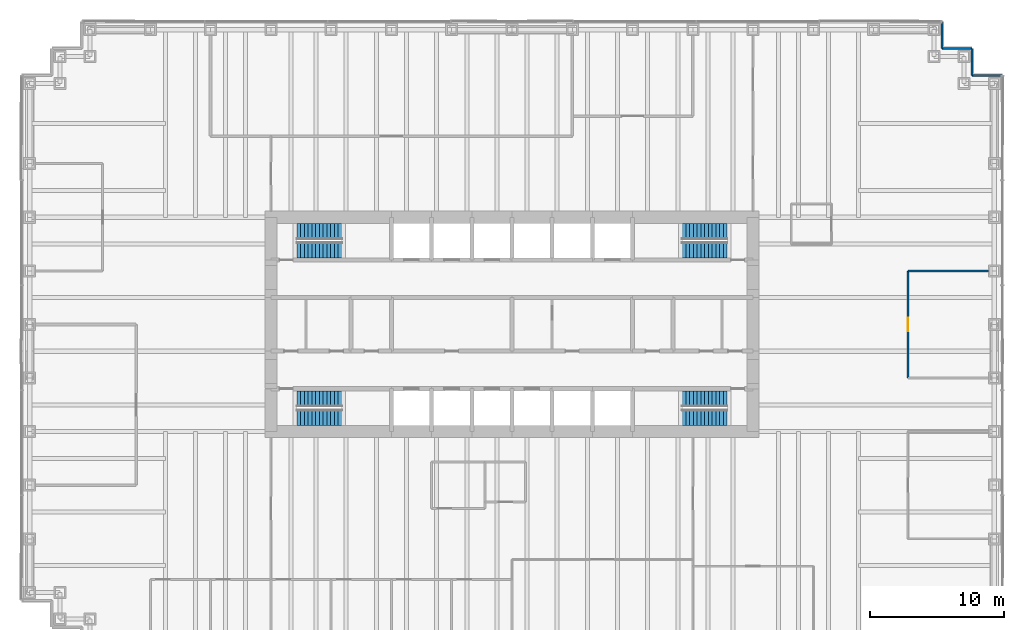
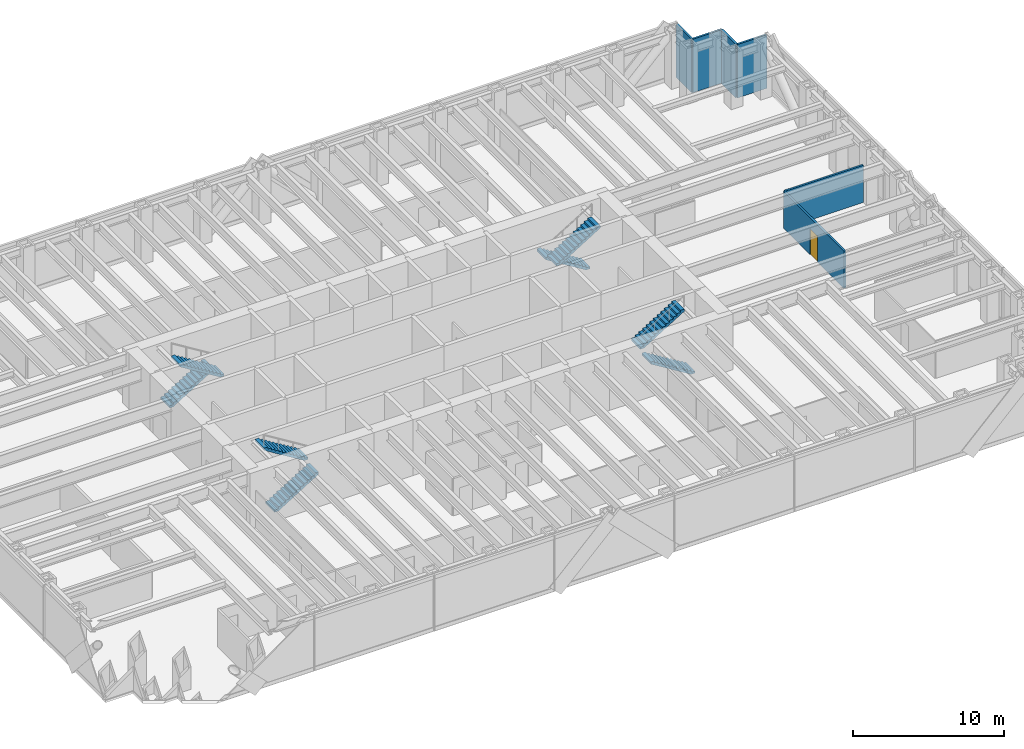
# One storey, part 12 of 13: 8 stair flights, 6 walls, 1 door, 1 opening, 4 elements without a shape of their own.
"""IFC4 building model written with IfcOpenShell, lengths in metres."""

from ifc_helpers import new_model, si_unit, direction, frame, frame_2d, origin, place, context, subcontext, project, spatial, polyline, rectangle, outline, extrude, material, layer, layer_set, type_object, element, fill, aggregate, save


model = new_model("IFC4")

# Units and contexts
model_context = context("Model", 3, precision=1e-05, world=origin(), true_north=direction((0.0, 1.0)))
body_context = subcontext(model_context, "Body", "Model", "MODEL_VIEW")
ifc_project = project(units=[si_unit("LENGTHUNIT", "METRE"), si_unit("AREAUNIT", "SQUARE_METRE"), si_unit("VOLUMEUNIT", "CUBIC_METRE"), si_unit("PLANEANGLEUNIT", "RADIAN"), si_unit("MASSUNIT", "GRAM", prefix="KILO")], contexts=[model_context])

# Site, building, storey
site_placement = place(None, origin())
site = spatial("IfcSite", under=ifc_project, at=site_placement, CompositionType="ELEMENT")
building_placement = place(site_placement, origin())
building = spatial("IfcBuilding", under=site, at=building_placement, Name="Rheinbord Bourse Tower", CompositionType="ELEMENT")
storey_placement = place(building_placement, frame((0.0, 0.0, 59.0)))
storey = spatial("IfcBuildingStorey", under=building, at=storey_placement, Name="L12", CompositionType="ELEMENT", Elevation=59.0)

# Walls
ifc_material_1 = material(Name="Black metal rainscreen panel", Category="aluminium")
ifc_layer_1 = layer(ifc_material_1, 0.14990234375)
ifc_layer_set_1 = layer_set([ifc_layer_1], Name="CORNER PIER CLADDING 150")
wall_type_1 = type_object("IfcWallType", Name="CORNER PIER CLADDING 150", PredefinedType="ELEMENTEDWALL", material=ifc_layer_set_1)
wall_1_placement = place(storey_placement, frame((72.60009765625, 42.60009765625, 0.0), z_axis=(0.0, 0.0, 1.0), x_axis=(-1.0, 0.0, 0.0)))
element("IfcWall", 1, at=wall_1_placement, inside=storey, type_object=wall_type_1, Name="Corner pier cladding L12 7", PredefinedType="ELEMENTEDWALL", context=body_context, shape_type="SweptSolid", body=[
    extrude(rectangle(XDim=2.25, YDim=0.14990234375, at=frame_2d((1.125, 0.0))), origin(), (0.0, 0.0, 1.0), 4.320068359375),
])
wall_2_placement = place(storey_placement, frame((70.35009765625, 42.60009765625, 0.0), z_axis=(0.0, 0.0, 1.0), x_axis=(0.0, 1.0, 0.0)))
element("IfcWall", 2, at=wall_2_placement, inside=storey, type_object=wall_type_1, Name="Corner pier cladding L12 8", PredefinedType="ELEMENTEDWALL", context=body_context, shape_type="SweptSolid", body=[
    extrude(rectangle(XDim=2.0, YDim=0.14990234375, at=frame_2d((1.0, 0.0))), origin(), (0.0, 0.0, 1.0), 4.320068359375),
])
wall_3_placement = place(storey_placement, frame((70.35009765625, 44.60009765625, 0.0), z_axis=(0.0, 0.0, 1.0), x_axis=(-1.0, 0.0, 0.0)))
element("IfcWall", 3, at=wall_3_placement, inside=storey, type_object=wall_type_1, Name="Corner pier cladding L12 9", PredefinedType="ELEMENTEDWALL", context=body_context, shape_type="SweptSolid", body=[
    extrude(rectangle(XDim=2.25, YDim=0.14990234375, at=frame_2d((1.125, 0.0))), origin(), (0.0, 0.0, 1.0), 4.320068359375),
])
wall_4_placement = place(storey_placement, frame((68.10009765625, 44.60009765625, 0.0), z_axis=(0.0, 0.0, 1.0), x_axis=(0.0, 1.0, 0.0)))
element("IfcWall", 4, at=wall_4_placement, inside=storey, type_object=wall_type_1, Name="Corner pier cladding L12 10", PredefinedType="ELEMENTEDWALL", context=body_context, shape_type="SweptSolid", body=[
    extrude(rectangle(XDim=2.0, YDim=0.14990234375, at=frame_2d((1.0, 0.0))), origin(), (0.0, 0.0, 1.0), 4.320068359375),
])
ifc_material_2 = material(Name="Gypsum board partition", Category="gypsum board")
ifc_layer_2 = layer(ifc_material_2, 0.14990234375)
ifc_layer_set_2 = layer_set([ifc_layer_2], Name="PARTITION 150")
wall_type_2 = type_object("IfcWallType", Name="PARTITION 150", PredefinedType="PARTITIONING", material=ifc_layer_set_2)
wall_5_placement = place(storey_placement, frame((65.550048828125, 28.0, 0.0), z_axis=(0.0, 0.0, 1.0), x_axis=(1.0, 0.0, 0.0)))
element("IfcWall", 5, at=wall_5_placement, inside=storey, type_object=wall_type_2, Name="Partition L12-14", PredefinedType="PARTITIONING", context=body_context, shape_type="SweptSolid", body=[
    extrude(rectangle(XDim=6.0, YDim=0.14990234375, at=frame_2d((3.0, 0.0))), origin(), (0.0, 0.0, 1.0), 3.0),
])

# Wall, opening, door
wall_6_placement = place(storey_placement, frame((65.550048828125, 20.0, 0.0), z_axis=(0.0, 0.0, 1.0), x_axis=(0.0, 1.0, 0.0)))
wall_6 = element("IfcWall", 6, at=wall_6_placement, inside=storey, type_object=wall_type_2, Name="Partition L12-44", PredefinedType="PARTITIONING", context=body_context, shape_type="SweptSolid", body=[
    extrude(rectangle(XDim=8.0, YDim=0.14990234375, at=frame_2d((4.0, 0.0))), origin(), (0.0, 0.0, 1.0), 3.0),
])
opening_placement = place(wall_6_placement, frame((3.5, 0.0, 0.0)))
opening = element("IfcOpeningElement", 7, at=opening_placement, cuts=wall_6, Name="Opening 12D13", PredefinedType="OPENING", context=body_context, shape_type="SweptSolid", body=[
    extrude(rectangle(XDim=1.0, YDim=2.10009765625, at=frame_2d((0.5, 1.050048828125))), frame((0.0, 0.0849609375, 0.0), z_axis=(0.0, -1.0, 0.0), x_axis=(1.0, 0.0, 0.0)), (0.0, 0.0, 1.0), 0.169921875),
])
ifc_material_3 = material(Name="Timber door", Category="wood")
door_type = type_object("IfcDoorType", Name="ROOM DOOR 1000", OperationType="SINGLE_SWING_LEFT", PredefinedType="DOOR", material=ifc_material_3)
door_placement = place(opening_placement, origin())
door = element("IfcDoor", 8, at=door_placement, inside=storey, type_object=door_type, Name="Pantry door L12", OperationType="SINGLE_SWING_LEFT", OverallHeight=2.10009765625, OverallWidth=1.0, PredefinedType="DOOR", context=body_context, shape_type="SweptSolid", body=[
    extrude(rectangle(XDim=1.0, YDim=2.10009765625, at=frame_2d((0.5, 1.050048828125))), frame((0.0, 0.02490234375, 0.0), z_axis=(0.0, -1.0, 0.0), x_axis=(1.0, 0.0, 0.0)), (0.0, 0.0, 1.0), 0.050048828125),
])
fill(opening, door)

# Stair, stair flights
ifc_material_4 = material(Name="Concrete C30/37", Category="concrete")
stair_type = type_object("IfcStairType", Name="CORE STAIR HALF TURN 4500", PredefinedType="HALF_TURN_STAIR", material=ifc_material_4)
stair_1_placement = place(storey_placement, origin())
stair_1 = element("IfcStair", 9, at=stair_1_placement, inside=storey, type_object=stair_type, Name="Stair ST1 L12, type CS4", PredefinedType="HALF_TURN_STAIR")
ifc_material_5 = material(Name="Concrete C30/37", Category="concrete")
stair_flight_type = type_object("IfcStairFlightType", Name="CORE STAIR FLIGHT 1200, 13 RISERS", PredefinedType="STRAIGHT", material=ifc_material_5)
stair_flight_1_placement = place(storey_placement, frame((19.949951171875, 17.050048828125, 0.0), z_axis=(0.0, 0.0, 1.0), x_axis=(1.0, 0.0, 0.0)))
stair_flight_1 = element("IfcStairFlight", 10, at=stair_flight_1_placement, type_object=stair_flight_type, Name="STAIR L12 ST1 F1", NumberOfRisers=13, NumberOfTreads=12, PredefinedType="STRAIGHT", RiserHeight=0.173076923, TreadLength=0.28, context=body_context, shape_type="SweptSolid", body=[
    extrude(outline(polyline([(0.0, 0.0), (0.0, 0.173095703125), (0.280029296875, 0.173095703125), (0.280029296875, 0.34619140625), (0.56005859375, 0.34619140625), (0.56005859375, 0.519287109375), (0.840087890625, 0.519287109375), (0.840087890625, 0.6923828125), (1.1201171875, 0.6923828125), (1.1201171875, 0.865478515625), (1.39990234375, 0.865478515625), (1.39990234375, 1.03857421875), (1.679931640625, 1.03857421875), (1.679931640625, 1.21142578125), (1.9599609375, 1.21142578125), (1.9599609375, 1.384521484375), (2.239990234375, 1.384521484375), (2.239990234375, 1.5576171875), (2.52001953125, 1.5576171875), (2.52001953125, 1.730712890625), (2.800048828125, 1.730712890625), (2.800048828125, 1.90380859375), (3.080078125, 1.90380859375), (3.080078125, 2.076904296875), (3.360107421875, 2.076904296875), (3.360107421875, 2.25), (3.360107421875, 1.900634765625), (0.28515625, 0.0), (0.0, 0.0)])), frame((0.0, 0.60009765625, 0.0), z_axis=(0.0, -1.0, 0.0), x_axis=(1.0, 0.0, 0.0)), (0.0, 0.0, 1.0), 1.199951171875),
])
stair_flight_2_placement = place(storey_placement, frame((23.31005859375, 18.449951171875, 2.25), z_axis=(0.0, 0.0, 1.0), x_axis=(-1.0, 0.0, 0.0)))
stair_flight_2 = element("IfcStairFlight", 11, at=stair_flight_2_placement, type_object=stair_flight_type, Name="STAIR L12 ST1 F2", NumberOfRisers=13, NumberOfTreads=12, PredefinedType="STRAIGHT", RiserHeight=0.173076923, TreadLength=0.28, context=body_context, shape_type="SweptSolid", body=[
    extrude(outline(polyline([(0.0, 0.0), (0.0, 0.173095703125), (0.280029296875, 0.173095703125), (0.280029296875, 0.34619140625), (0.56005859375, 0.34619140625), (0.56005859375, 0.519287109375), (0.840087890625, 0.519287109375), (0.840087890625, 0.6923828125), (1.1201171875, 0.6923828125), (1.1201171875, 0.865478515625), (1.39990234375, 0.865478515625), (1.39990234375, 1.03857421875), (1.679931640625, 1.03857421875), (1.679931640625, 1.21142578125), (1.9599609375, 1.21142578125), (1.9599609375, 1.384521484375), (2.239990234375, 1.384521484375), (2.239990234375, 1.5576171875), (2.52001953125, 1.5576171875), (2.52001953125, 1.730712890625), (2.800048828125, 1.730712890625), (2.800048828125, 1.90380859375), (3.080078125, 1.90380859375), (3.080078125, 2.076904296875), (3.360107421875, 2.076904296875), (3.360107421875, 2.25), (3.360107421875, 1.900634765625), (0.28515625, 0.0), (0.0, 0.0)])), frame((0.0, 0.60009765625, 0.0), z_axis=(0.0, -1.0, 0.0), x_axis=(1.0, 0.0, 0.0)), (0.0, 0.0, 1.0), 1.199951171875),
])
aggregate(stair_1, [stair_flight_1, stair_flight_2])

stair_2_placement = place(storey_placement, origin())
stair_2 = element("IfcStair", 12, at=stair_2_placement, inside=storey, type_object=stair_type, Name="Stair ST2 L12, type CS4", PredefinedType="HALF_TURN_STAIR")
stair_flight_3_placement = place(storey_placement, frame((19.949951171875, 30.949951171875, 0.0), z_axis=(0.0, 0.0, 1.0), x_axis=(1.0, 0.0, 0.0)))
stair_flight_3 = element("IfcStairFlight", 13, at=stair_flight_3_placement, type_object=stair_flight_type, Name="STAIR L12 ST2 F1", NumberOfRisers=13, NumberOfTreads=12, PredefinedType="STRAIGHT", RiserHeight=0.173076923, TreadLength=0.28, context=body_context, shape_type="SweptSolid", body=[
    extrude(outline(polyline([(0.0, 0.0), (0.0, 0.173095703125), (0.280029296875, 0.173095703125), (0.280029296875, 0.34619140625), (0.56005859375, 0.34619140625), (0.56005859375, 0.519287109375), (0.840087890625, 0.519287109375), (0.840087890625, 0.6923828125), (1.1201171875, 0.6923828125), (1.1201171875, 0.865478515625), (1.39990234375, 0.865478515625), (1.39990234375, 1.03857421875), (1.679931640625, 1.03857421875), (1.679931640625, 1.21142578125), (1.9599609375, 1.21142578125), (1.9599609375, 1.384521484375), (2.239990234375, 1.384521484375), (2.239990234375, 1.5576171875), (2.52001953125, 1.5576171875), (2.52001953125, 1.730712890625), (2.800048828125, 1.730712890625), (2.800048828125, 1.90380859375), (3.080078125, 1.90380859375), (3.080078125, 2.076904296875), (3.360107421875, 2.076904296875), (3.360107421875, 2.25), (3.360107421875, 1.900634765625), (0.28515625, 0.0), (0.0, 0.0)])), frame((0.0, 0.60009765625, 0.0), z_axis=(0.0, -1.0, 0.0), x_axis=(1.0, 0.0, 0.0)), (0.0, 0.0, 1.0), 1.199951171875),
])
stair_flight_4_placement = place(storey_placement, frame((23.31005859375, 29.550048828125, 2.25), z_axis=(0.0, 0.0, 1.0), x_axis=(-1.0, 0.0, 0.0)))
stair_flight_4 = element("IfcStairFlight", 14, at=stair_flight_4_placement, type_object=stair_flight_type, Name="STAIR L12 ST2 F2", NumberOfRisers=13, NumberOfTreads=12, PredefinedType="STRAIGHT", RiserHeight=0.173076923, TreadLength=0.28, context=body_context, shape_type="SweptSolid", body=[
    extrude(outline(polyline([(0.0, 0.0), (0.0, 0.173095703125), (0.280029296875, 0.173095703125), (0.280029296875, 0.34619140625), (0.56005859375, 0.34619140625), (0.56005859375, 0.519287109375), (0.840087890625, 0.519287109375), (0.840087890625, 0.6923828125), (1.1201171875, 0.6923828125), (1.1201171875, 0.865478515625), (1.39990234375, 0.865478515625), (1.39990234375, 1.03857421875), (1.679931640625, 1.03857421875), (1.679931640625, 1.21142578125), (1.9599609375, 1.21142578125), (1.9599609375, 1.384521484375), (2.239990234375, 1.384521484375), (2.239990234375, 1.5576171875), (2.52001953125, 1.5576171875), (2.52001953125, 1.730712890625), (2.800048828125, 1.730712890625), (2.800048828125, 1.90380859375), (3.080078125, 1.90380859375), (3.080078125, 2.076904296875), (3.360107421875, 2.076904296875), (3.360107421875, 2.25), (3.360107421875, 1.900634765625), (0.28515625, 0.0), (0.0, 0.0)])), frame((0.0, 0.60009765625, 0.0), z_axis=(0.0, -1.0, 0.0), x_axis=(1.0, 0.0, 0.0)), (0.0, 0.0, 1.0), 1.199951171875),
])
aggregate(stair_2, [stair_flight_3, stair_flight_4])

stair_3_placement = place(storey_placement, origin())
stair_3 = element("IfcStair", 15, at=stair_3_placement, inside=storey, type_object=stair_type, Name="Stair ST3 L12, type CS4", PredefinedType="HALF_TURN_STAIR")
stair_flight_5_placement = place(storey_placement, frame((52.050048828125, 17.050048828125, 0.0), z_axis=(0.0, 0.0, 1.0), x_axis=(-1.0, 0.0, 0.0)))
stair_flight_5 = element("IfcStairFlight", 16, at=stair_flight_5_placement, type_object=stair_flight_type, Name="STAIR L12 ST3 F1", NumberOfRisers=13, NumberOfTreads=12, PredefinedType="STRAIGHT", RiserHeight=0.173076923, TreadLength=0.28, context=body_context, shape_type="SweptSolid", body=[
    extrude(outline(polyline([(0.0, 0.0), (0.0, 0.173095703125), (0.280029296875, 0.173095703125), (0.280029296875, 0.34619140625), (0.56005859375, 0.34619140625), (0.56005859375, 0.519287109375), (0.840087890625, 0.519287109375), (0.840087890625, 0.6923828125), (1.1201171875, 0.6923828125), (1.1201171875, 0.865478515625), (1.39990234375, 0.865478515625), (1.39990234375, 1.03857421875), (1.679931640625, 1.03857421875), (1.679931640625, 1.21142578125), (1.9599609375, 1.21142578125), (1.9599609375, 1.384521484375), (2.239990234375, 1.384521484375), (2.239990234375, 1.5576171875), (2.52001953125, 1.5576171875), (2.52001953125, 1.730712890625), (2.800048828125, 1.730712890625), (2.800048828125, 1.90380859375), (3.080078125, 1.90380859375), (3.080078125, 2.076904296875), (3.360107421875, 2.076904296875), (3.360107421875, 2.25), (3.360107421875, 1.900634765625), (0.28515625, 0.0), (0.0, 0.0)])), frame((0.0, 0.60009765625, 0.0), z_axis=(0.0, -1.0, 0.0), x_axis=(1.0, 0.0, 0.0)), (0.0, 0.0, 1.0), 1.199951171875),
])
stair_flight_6_placement = place(storey_placement, frame((48.68994140625, 18.449951171875, 2.25), z_axis=(0.0, 0.0, 1.0), x_axis=(1.0, 0.0, 0.0)))
stair_flight_6 = element("IfcStairFlight", 17, at=stair_flight_6_placement, type_object=stair_flight_type, Name="STAIR L12 ST3 F2", NumberOfRisers=13, NumberOfTreads=12, PredefinedType="STRAIGHT", RiserHeight=0.173076923, TreadLength=0.28, context=body_context, shape_type="SweptSolid", body=[
    extrude(outline(polyline([(0.0, 0.0), (0.0, 0.173095703125), (0.280029296875, 0.173095703125), (0.280029296875, 0.34619140625), (0.56005859375, 0.34619140625), (0.56005859375, 0.519287109375), (0.840087890625, 0.519287109375), (0.840087890625, 0.6923828125), (1.1201171875, 0.6923828125), (1.1201171875, 0.865478515625), (1.39990234375, 0.865478515625), (1.39990234375, 1.03857421875), (1.679931640625, 1.03857421875), (1.679931640625, 1.21142578125), (1.9599609375, 1.21142578125), (1.9599609375, 1.384521484375), (2.239990234375, 1.384521484375), (2.239990234375, 1.5576171875), (2.52001953125, 1.5576171875), (2.52001953125, 1.730712890625), (2.800048828125, 1.730712890625), (2.800048828125, 1.90380859375), (3.080078125, 1.90380859375), (3.080078125, 2.076904296875), (3.360107421875, 2.076904296875), (3.360107421875, 2.25), (3.360107421875, 1.900634765625), (0.28515625, 0.0), (0.0, 0.0)])), frame((0.0, 0.60009765625, 0.0), z_axis=(0.0, -1.0, 0.0), x_axis=(1.0, 0.0, 0.0)), (0.0, 0.0, 1.0), 1.199951171875),
])
aggregate(stair_3, [stair_flight_5, stair_flight_6])

stair_4_placement = place(storey_placement, origin())
stair_4 = element("IfcStair", 18, at=stair_4_placement, inside=storey, type_object=stair_type, Name="Stair ST4 L12, type CS4", PredefinedType="HALF_TURN_STAIR")
stair_flight_7_placement = place(storey_placement, frame((52.050048828125, 30.949951171875, 0.0), z_axis=(0.0, 0.0, 1.0), x_axis=(-1.0, 0.0, 0.0)))
stair_flight_7 = element("IfcStairFlight", 19, at=stair_flight_7_placement, type_object=stair_flight_type, Name="STAIR L12 ST4 F1", NumberOfRisers=13, NumberOfTreads=12, PredefinedType="STRAIGHT", RiserHeight=0.173076923, TreadLength=0.28, context=body_context, shape_type="SweptSolid", body=[
    extrude(outline(polyline([(0.0, 0.0), (0.0, 0.173095703125), (0.280029296875, 0.173095703125), (0.280029296875, 0.34619140625), (0.56005859375, 0.34619140625), (0.56005859375, 0.519287109375), (0.840087890625, 0.519287109375), (0.840087890625, 0.6923828125), (1.1201171875, 0.6923828125), (1.1201171875, 0.865478515625), (1.39990234375, 0.865478515625), (1.39990234375, 1.03857421875), (1.679931640625, 1.03857421875), (1.679931640625, 1.21142578125), (1.9599609375, 1.21142578125), (1.9599609375, 1.384521484375), (2.239990234375, 1.384521484375), (2.239990234375, 1.5576171875), (2.52001953125, 1.5576171875), (2.52001953125, 1.730712890625), (2.800048828125, 1.730712890625), (2.800048828125, 1.90380859375), (3.080078125, 1.90380859375), (3.080078125, 2.076904296875), (3.360107421875, 2.076904296875), (3.360107421875, 2.25), (3.360107421875, 1.900634765625), (0.28515625, 0.0), (0.0, 0.0)])), frame((0.0, 0.60009765625, 0.0), z_axis=(0.0, -1.0, 0.0), x_axis=(1.0, 0.0, 0.0)), (0.0, 0.0, 1.0), 1.199951171875),
])
stair_flight_8_placement = place(storey_placement, frame((48.68994140625, 29.550048828125, 2.25), z_axis=(0.0, 0.0, 1.0), x_axis=(1.0, 0.0, 0.0)))
stair_flight_8 = element("IfcStairFlight", 20, at=stair_flight_8_placement, type_object=stair_flight_type, Name="STAIR L12 ST4 F2", NumberOfRisers=13, NumberOfTreads=12, PredefinedType="STRAIGHT", RiserHeight=0.173076923, TreadLength=0.28, context=body_context, shape_type="SweptSolid", body=[
    extrude(outline(polyline([(0.0, 0.0), (0.0, 0.173095703125), (0.280029296875, 0.173095703125), (0.280029296875, 0.34619140625), (0.56005859375, 0.34619140625), (0.56005859375, 0.519287109375), (0.840087890625, 0.519287109375), (0.840087890625, 0.6923828125), (1.1201171875, 0.6923828125), (1.1201171875, 0.865478515625), (1.39990234375, 0.865478515625), (1.39990234375, 1.03857421875), (1.679931640625, 1.03857421875), (1.679931640625, 1.21142578125), (1.9599609375, 1.21142578125), (1.9599609375, 1.384521484375), (2.239990234375, 1.384521484375), (2.239990234375, 1.5576171875), (2.52001953125, 1.5576171875), (2.52001953125, 1.730712890625), (2.800048828125, 1.730712890625), (2.800048828125, 1.90380859375), (3.080078125, 1.90380859375), (3.080078125, 2.076904296875), (3.360107421875, 2.076904296875), (3.360107421875, 2.25), (3.360107421875, 1.900634765625), (0.28515625, 0.0), (0.0, 0.0)])), frame((0.0, 0.60009765625, 0.0), z_axis=(0.0, -1.0, 0.0), x_axis=(1.0, 0.0, 0.0)), (0.0, 0.0, 1.0), 1.199951171875),
])
aggregate(stair_4, [stair_flight_7, stair_flight_8])

save(model, "model.ifc")
